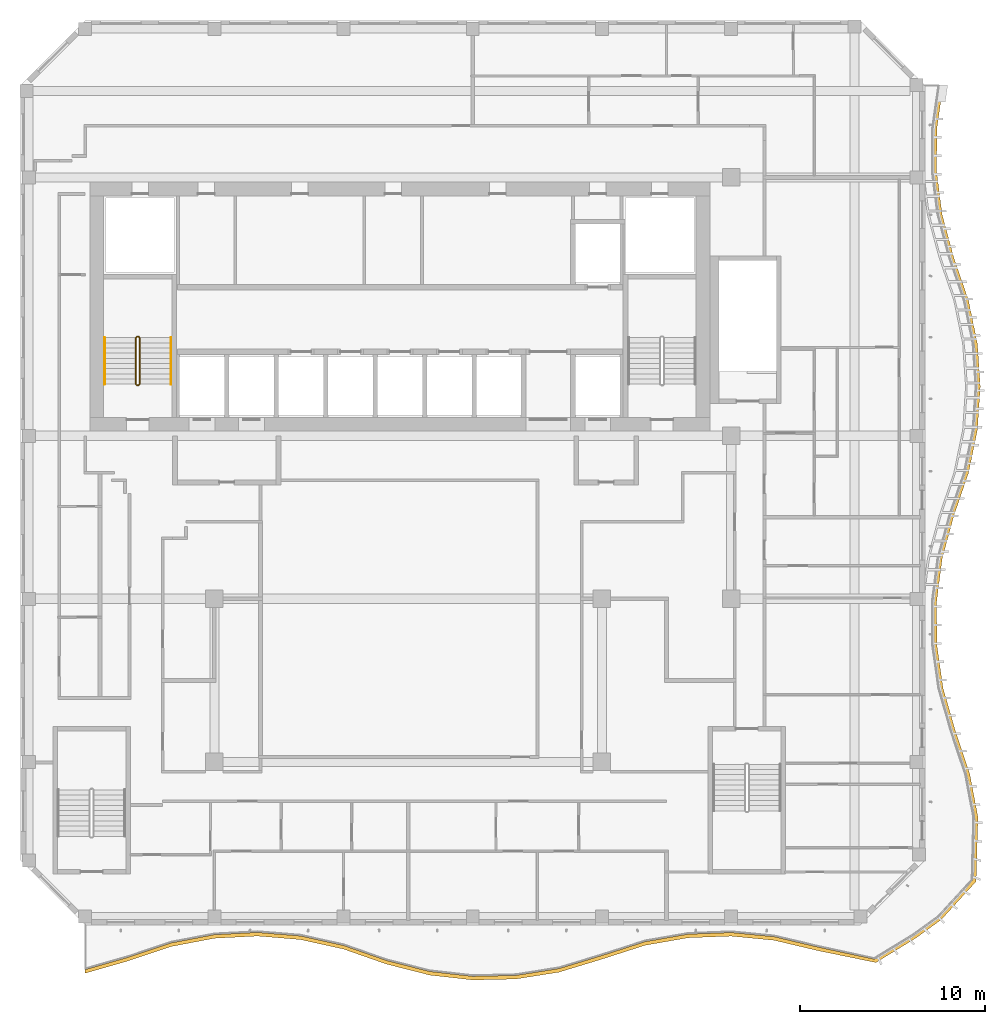
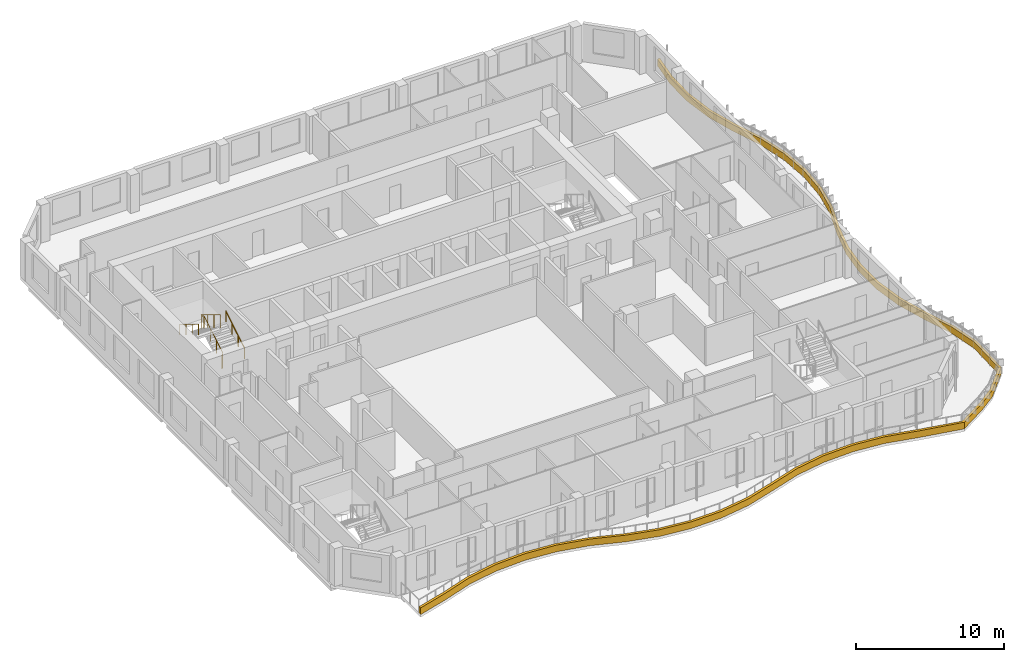
# One storey, part 13 of 18: 3 railings, 1 shading device.
"""IFC4 building model written with IfcOpenShell, lengths in metres."""

import ifcopenshell
import ifcopenshell.guid

model = None  # the IFC model being written
_history = None  # IfcOwnerHistory: only IFC2X3 demands one
_inside = {}  # id of a spatial element -> (the spatial element, [elements in it])
_under = {}  # id of a project, library or spatial element -> (it, [spatial elements below it])
_declared = {}  # id of a project -> (the project, [libraries it declares])
_typed = {}  # id of a type object -> (the type object, [elements of that type])
_made_of = {}  # id of a material, layer set ... -> (it, [elements and type objects made of it])


def new_model(schema):
    """Start an empty IFC model of exactly this schema.

    Asked for "IFC4X3", IfcOpenShell would pick the latest addendum, in which some entities
    have other attributes; the version numbers below select the first issue.
    IFC2X3 requires an IfcOwnerHistory on every rooted entity: one is made here for all.
    """
    global model, _history
    if schema == "IFC4X3":
        model = ifcopenshell.file(schema_version=(4, 3, 0, 0))
    else:
        model = ifcopenshell.file(schema=schema)
    _inside.clear()
    _under.clear()
    _declared.clear()
    _typed.clear()
    _made_of.clear()
    _history = None
    if model.schema == "IFC2X3":
        org = make("IfcOrganization", Name="unknown")
        user = make(
            "IfcPersonAndOrganization",
            ThePerson=make("IfcPerson", FamilyName="unknown"),
            TheOrganization=org,
        )
        app = make(
            "IfcApplication",
            ApplicationDeveloper=org,
            Version="unknown",
            ApplicationFullName="unknown",
            ApplicationIdentifier="unknown",
        )
        _history = make(
            "IfcOwnerHistory",
            OwningUser=user,
            OwningApplication=app,
            ChangeAction="ADDED",
            CreationDate=0,
        )
    return model


def make(cls, **values):
    """One entity of the class cls with the attributes given. An attribute that is None is left unset."""
    return model.create_entity(
        cls, **{name: value for name, value in values.items() if value is not None}
    )


def rooted(cls, **values):
    """An entity with a GlobalId (a new one), such as an element, a storey or a relation."""
    return make(cls, GlobalId=ifcopenshell.guid.new(), OwnerHistory=_history, **values)


def si_unit(unit_type, name, prefix=None):
    """IfcSIUnit, for example si_unit("LENGTHUNIT", "METRE", prefix="MILLI")."""
    return make("IfcSIUnit", UnitType=unit_type, Prefix=prefix, Name=name)


def assignment(units):
    """IfcUnitAssignment: the units of a project."""
    return None if units is None else make("IfcUnitAssignment", Units=units)


def point(xyz):
    """IfcCartesianPoint."""
    return None if xyz is None else make("IfcCartesianPoint", Coordinates=xyz)


def direction(xyz):
    """IfcDirection."""
    return None if xyz is None else make("IfcDirection", DirectionRatios=xyz)


def frame(location, z_axis=None, x_axis=None):
    """IfcAxis2Placement3D, a coordinate frame: its origin and axes. An axis left out is left unset."""
    return make(
        "IfcAxis2Placement3D",
        Location=point(location),
        Axis=direction(z_axis),
        RefDirection=direction(x_axis),
    )


def frame_2d(location, x_axis=None):
    """IfcAxis2Placement2D, a coordinate frame in the plane: its origin and x axis."""
    return make(
        "IfcAxis2Placement2D", Location=point(location), RefDirection=direction(x_axis)
    )


def origin():
    """The frame at (0, 0, 0) with its axes left unset."""
    return frame((0.0, 0.0, 0.0))


def origin_2d():
    """The frame at (0, 0) in the plane with its x axis left unset."""
    return frame_2d((0.0, 0.0))


def place(relative_to, where):
    """IfcLocalPlacement: puts the frame where relative to a parent placement (None: the world)."""
    return make(
        "IfcLocalPlacement", PlacementRelTo=relative_to, RelativePlacement=where
    )


def context(
    kind, dimensions, precision=None, world=None, true_north=None, identifier=None
):
    """IfcGeometricRepresentationContext, for example the 3D "Model" context."""
    return make(
        "IfcGeometricRepresentationContext",
        ContextIdentifier=identifier,
        ContextType=kind,
        CoordinateSpaceDimension=dimensions,
        Precision=precision,
        WorldCoordinateSystem=world,
        TrueNorth=true_north,
    )


def subcontext(parent, identifier, kind, view, scale=None):
    """IfcGeometricRepresentationSubContext, for example "Body" below "Model"."""
    return make(
        "IfcGeometricRepresentationSubContext",
        ContextIdentifier=identifier,
        ContextType=kind,
        ParentContext=parent,
        TargetScale=scale,
        TargetView=view,
    )


def project(units=None, contexts=None):
    """IfcProject with its units and contexts."""
    return rooted(
        "IfcProject",
        Name="project",
        RepresentationContexts=contexts,
        UnitsInContext=assignment(units),
    )


def spatial(cls, under=None, at=None, **own):
    """A site, building, storey or space (cls), placed at a placement, below another one or the project."""
    s = rooted(cls, ObjectPlacement=at, **own)
    if under is not None:
        _under.setdefault(under.id(), (under, []))[1].append(s)
    return s


def polyline(points):
    """IfcPolyline through the points."""
    return make("IfcPolyline", Points=[point(p) for p in points])


def profile(cls, at=None, kind="AREA", **sizes):
    """A parametric profile (cls). Its sizes go by their IFC names, for example OverallWidth=200.0."""
    return make(cls, ProfileType=kind, Position=at, **sizes)


def circle(**sizes):
    """IfcCircleProfileDef."""
    return profile("IfcCircleProfileDef", **sizes)


def outline(outer, holes=None, kind="AREA"):
    """IfcArbitraryClosedProfileDef: a profile drawn as a closed curve; with holes, ...WithVoids."""
    if holes is None:
        return make("IfcArbitraryClosedProfileDef", ProfileType=kind, OuterCurve=outer)
    return make(
        "IfcArbitraryProfileDefWithVoids",
        ProfileType=kind,
        OuterCurve=outer,
        InnerCurves=holes,
    )


def extrude(swept, where, along, depth):
    """IfcExtrudedAreaSolid: the profile swept, set in the frame where, extruded along a direction by depth."""
    return make(
        "IfcExtrudedAreaSolid",
        SweptArea=swept,
        Position=where,
        ExtrudedDirection=direction(along),
        Depth=depth,
    )


def shape(context_of_items, identifier, shape_type, items):
    """IfcShapeRepresentation: the items that make up one representation, for example the "Body"."""
    return make(
        "IfcShapeRepresentation",
        ContextOfItems=context_of_items,
        RepresentationIdentifier=identifier,
        RepresentationType=shape_type,
        Items=items,
    )


def source(mapping_origin, context_of_items, identifier, shape_type, items):
    """IfcRepresentationMap: a shape defined once, which mapped items show again and again."""
    return make(
        "IfcRepresentationMap",
        MappingOrigin=mapping_origin,
        MappedRepresentation=shape(context_of_items, identifier, shape_type, items),
    )


def transform(
    local_origin,
    x_axis=None,
    y_axis=None,
    z_axis=None,
    scale=None,
    scale2=None,
    scale3=None,
    uniform=True,
):
    """IfcCartesianTransformationOperator3D, or its non-uniform kind. x_axis, y_axis, z_axis: its Axis1, 2, 3."""
    if uniform:
        return make(
            "IfcCartesianTransformationOperator3D",
            Axis1=direction(x_axis),
            Axis2=direction(y_axis),
            LocalOrigin=point(local_origin),
            Scale=scale,
            Axis3=direction(z_axis),
        )
    return make(
        "IfcCartesianTransformationOperator3DnonUniform",
        Axis1=direction(x_axis),
        Axis2=direction(y_axis),
        LocalOrigin=point(local_origin),
        Scale=scale,
        Axis3=direction(z_axis),
        Scale2=scale2,
        Scale3=scale3,
    )


def mapped(mapping_source, mapping_target):
    """IfcMappedItem: shows the shape of a source again, moved by a transform."""
    return make(
        "IfcMappedItem", MappingSource=mapping_source, MappingTarget=mapping_target
    )


def material(Name=None, Category=None):
    """IfcMaterial."""
    return make("IfcMaterial", Name=Name, Category=Category)


def layer(
    of_material, thickness, ventilated=None, Name=None, Category=None, Priority=None
):
    """IfcMaterialLayer: one layer of a wall or slab, of a material (None: an air gap)."""
    return make(
        "IfcMaterialLayer",
        Material=of_material,
        LayerThickness=thickness,
        IsVentilated=ventilated,
        Name=Name,
        Category=Category,
        Priority=Priority,
    )


def layer_set(layers, Name=None):
    """IfcMaterialLayerSet."""
    return make("IfcMaterialLayerSet", MaterialLayers=layers, LayerSetName=Name)


def made_of(thing, what):
    """Note that an element or type object is made of a material, layer set ...; save() writes the relation."""
    if what is not None:
        _made_of.setdefault(what.id(), (what, []))[1].append(thing)
    return thing


def type_object(cls, material=None, **own):
    """A type object (cls), such as IfcWallType, which elements share."""
    return made_of(rooted(cls, **own), material)


def element(
    cls,
    number,
    at=None,
    inside=None,
    cuts=None,
    type_object=None,
    material=None,
    context=None,
    identifier="Body",
    shape_type=None,
    held_by="IfcProductDefinitionShape",
    body=None,
    shapes=None,
    **own,
):
    """One element of the class cls, such as IfcWall. Its Tag is "e" and its number.

    at: its placement. inside: the storey or other place that contains it. cuts: it is an
    opening in that element (IfcRelVoidsElement). A single representation is given by context,
    identifier, shape_type and body (its items); several are given by shapes. held_by: the class
    of the entity that holds the representations. save() writes the other relations.
    """
    e = rooted(cls, Tag="e%d" % number, ObjectPlacement=at, **own)
    if body is not None:
        shapes = [shape(context, identifier, shape_type, body)]
    if shapes is not None:
        e.Representation = make(held_by, Representations=shapes)
    if inside is not None:
        _inside.setdefault(inside.id(), (inside, []))[1].append(e)
    if cuts is not None:
        rooted(
            "IfcRelVoidsElement", RelatingBuildingElement=cuts, RelatedOpeningElement=e
        )
    if type_object is not None:
        _typed.setdefault(type_object.id(), (type_object, []))[1].append(e)
    return made_of(e, material)


def aggregate(whole, parts):
    """IfcRelAggregates: a whole, such as a stair, and the parts it consists of."""
    return rooted("IfcRelAggregates", RelatingObject=whole, RelatedObjects=parts)


def save(model, path):
    """Write the relations noted so far, then the file.

    IfcRelAggregates (storeys below a building ...), IfcRelContainedInSpatialStructure (elements
    in a storey), IfcRelDefinesByType, IfcRelAssociatesMaterial and IfcRelDeclares: one each for
    every whole, place, type object, material and project.
    """
    for whole, parts in _under.values():
        aggregate(whole, parts)
    for where, things in _inside.values():
        rooted(
            "IfcRelContainedInSpatialStructure",
            RelatedElements=things,
            RelatingStructure=where,
        )
    for kind, things in _typed.values():
        rooted("IfcRelDefinesByType", RelatedObjects=things, RelatingType=kind)
    for what, things in _made_of.values():
        rooted("IfcRelAssociatesMaterial", RelatedObjects=things, RelatingMaterial=what)
    for by, libraries in _declared.values():
        rooted("IfcRelDeclares", RelatingContext=by, RelatedDefinitions=libraries)
    model.write(path)


model = new_model("IFC4")

# Units and contexts
model_context = context("Model", 3, precision=1e-05, world=origin(), true_north=direction((0.0, 1.0)))
body_context = subcontext(model_context, "Body", "Model", "MODEL_VIEW")
ifc_project = project(units=[si_unit("LENGTHUNIT", "METRE"), si_unit("AREAUNIT", "SQUARE_METRE"), si_unit("VOLUMEUNIT", "CUBIC_METRE"), si_unit("PLANEANGLEUNIT", "RADIAN"), si_unit("MASSUNIT", "GRAM", prefix="KILO")], contexts=[model_context])

# Site, building, storey
site_placement = place(None, origin())
site = spatial("IfcSite", under=ifc_project, at=site_placement, CompositionType="ELEMENT")
building_placement = place(site_placement, origin())
building = spatial("IfcBuilding", under=site, at=building_placement, Name="Kilnfold Tower and Market Hall", CompositionType="ELEMENT")
storey_placement = place(building_placement, frame((0.0, 0.0, 256.0)))
storey = spatial("IfcBuildingStorey", under=building, at=storey_placement, Name="L62", CompositionType="ELEMENT", Elevation=256.0)

# Railings
ifc_material_1 = material(Name="Stainless steel 316", Category="steel")
railing_type_1 = type_object("IfcRailingType", Name="CORE STAIR GUARD 1100", PredefinedType="GUARDRAIL", material=ifc_material_1)
railing_1_placement = place(storey_placement, frame((-13.199951171875, 10.75, 0.0)))
element("IfcRailing", 1, at=railing_1_placement, inside=storey, type_object=railing_type_1, Name="L62 ST1 stair guard 1", PredefinedType="GUARDRAIL", context=body_context, shape_type="SweptSolid", body=[
    extrude(circle(Radius=0.02392578125, at=origin_2d()), frame((0.0, 0.0, 1.076171875), z_axis=(1.0, 0.0, 0.0), x_axis=(0.0, 1.0, 0.0)), (0.0, 0.0, 1.0), 0.099853515625),
    extrude(circle(Radius=0.02392578125, at=origin_2d()), frame((0.099853515625, 0.0, 1.076171875), z_axis=(0.271895245746, 0.271895245746, 0.923117517265), x_axis=(-0.707106781187, 0.707106781187, 0.0)), (0.0, 0.0, 1.0), 0.18408203125),
    extrude(circle(Radius=0.02392578125, at=origin_2d()), frame((0.14990234375, 0.050048828125, 1.24609375), z_axis=(0.0, 0.85478489116, 0.518982456201), x_axis=(-1.0, 0.0, 0.0)), (0.0, 0.0, 1.0), 2.9482421875),
    extrude(circle(Radius=0.02392578125, at=origin_2d()), frame((0.14990234375, 2.570068359375, 2.77587890625), z_axis=(-0.707106781187, 0.707106781187, 0.0), x_axis=(-0.707106781187, -0.707106781187, 0.0)), (0.0, 0.0, 1.0), 0.07080078125),
    extrude(circle(Radius=0.02392578125, at=origin_2d()), frame((0.099853515625, 2.6201171875, 2.77587890625), z_axis=(-1.0, 0.0, 0.0), x_axis=(0.0, -1.0, 0.0)), (0.0, 0.0, 1.0), 0.099853515625),
    extrude(circle(Radius=0.02392578125, at=origin_2d()), frame((0.0, 2.6201171875, 2.77587890625), z_axis=(-0.271562723297, -0.271562723297, 0.923313259209), x_axis=(0.707106781187, -0.707106781187, 0.0)), (0.0, 0.0, 1.0), 0.184326171875),
    extrude(circle(Radius=0.02392578125, at=origin_2d()), frame((-0.050048828125, 2.570068359375, 2.9462890625), z_axis=(0.0, -0.854821627497, 0.518921945155), x_axis=(1.0, 0.0, 0.0)), (0.0, 0.0, 1.0), 2.947998046875),
    extrude(circle(Radius=0.02099609375, at=origin_2d()), origin(), (0.0, 0.0, 1.0), 1.052001953125),
    extrude(circle(Radius=0.02099609375, at=origin_2d()), frame((0.099853515625, 0.0, 0.0)), (0.0, 0.0, 1.0), 1.052001953125),
    extrude(circle(Radius=0.02099609375, at=origin_2d()), frame((0.14990234375, 0.050048828125, 0.169921875)), (0.0, 0.0, 1.0), 1.052001953125),
    extrude(circle(Radius=0.02099609375, at=origin_2d()), frame((0.14990234375, 0.89013671875, 0.679931640625)), (0.0, 0.0, 1.0), 1.052001953125),
    extrude(circle(Radius=0.02099609375, at=origin_2d()), frame((0.14990234375, 1.72998046875, 1.18994140625)), (0.0, 0.0, 1.0), 1.052001953125),
    extrude(circle(Radius=0.02099609375, at=origin_2d()), frame((0.14990234375, 2.570068359375, 1.699951171875)), (0.0, 0.0, 1.0), 1.052001953125),
    extrude(circle(Radius=0.02099609375, at=origin_2d()), frame((0.099853515625, 2.6201171875, 1.699951171875)), (0.0, 0.0, 1.0), 1.052001953125),
    extrude(circle(Radius=0.02099609375, at=origin_2d()), frame((0.0, 2.6201171875, 1.699951171875)), (0.0, 0.0, 1.0), 1.052001953125),
    extrude(circle(Radius=0.02099609375, at=origin_2d()), frame((-0.050048828125, 2.570068359375, 1.8701171875)), (0.0, 0.0, 1.0), 1.052001953125),
    extrude(circle(Radius=0.02099609375, at=origin_2d()), frame((-0.050048828125, 1.72998046875, 2.380126953125)), (0.0, 0.0, 1.0), 1.052001953125),
    extrude(circle(Radius=0.02099609375, at=origin_2d()), frame((-0.050048828125, 0.89013671875, 2.889892578125)), (0.0, 0.0, 1.0), 1.052001953125),
    extrude(circle(Radius=0.02099609375, at=origin_2d()), frame((-0.050048828125, 0.050048828125, 3.39990234375)), (0.0, 0.0, 1.0), 1.052001953125),
])
ifc_material_2 = material(Name="Stainless steel 316", Category="steel")
railing_type_2 = type_object("IfcRailingType", Name="CORE STAIR HANDRAIL 900", PredefinedType="HANDRAIL", material=ifc_material_2)
railing_2_placement = place(storey_placement, frame((-11.35009765625, 10.800048828125, 0.169921875)))
element("IfcRailing", 2, at=railing_2_placement, inside=storey, type_object=railing_type_2, Name="L62 ST1 stair handrail 1", PredefinedType="HANDRAIL", context=body_context, shape_type="SweptSolid", body=[
    extrude(circle(Radius=0.02392578125, at=origin_2d()), frame((0.0, 0.0, 0.8759765625), z_axis=(0.0, 0.85478489116, 0.518982456201), x_axis=(-1.0, 0.0, 0.0)), (0.0, 0.0, 1.0), 2.9482421875),
    extrude(circle(Radius=0.02099609375, at=origin_2d()), origin(), (0.0, 0.0, 1.0), 0.851806640625),
    extrude(circle(Radius=0.02099609375, at=origin_2d()), frame((0.0, 0.840087890625, 0.510009765625)), (0.0, 0.0, 1.0), 0.851806640625),
    extrude(circle(Radius=0.02099609375, at=origin_2d()), frame((0.0, 1.679931640625, 1.02001953125)), (0.0, 0.0, 1.0), 0.851806640625),
    extrude(circle(Radius=0.02099609375, at=origin_2d()), frame((0.0, 2.52001953125, 1.530029296875)), (0.0, 0.0, 1.0), 0.851806640625),
])
railing_3_placement = place(storey_placement, frame((-14.949951171875, 13.320068359375, 1.8701171875)))
element("IfcRailing", 3, at=railing_3_placement, inside=storey, type_object=railing_type_2, Name="L62 ST1 stair handrail 2", PredefinedType="HANDRAIL", context=body_context, shape_type="SweptSolid", body=[
    extrude(circle(Radius=0.02392578125, at=origin_2d()), frame((0.0, 0.0, 0.8759765625), z_axis=(0.0, -0.854821627497, 0.518921945155), x_axis=(1.0, 0.0, 0.0)), (0.0, 0.0, 1.0), 2.947998046875),
    extrude(circle(Radius=0.02099609375, at=origin_2d()), origin(), (0.0, 0.0, 1.0), 0.851806640625),
    extrude(circle(Radius=0.02099609375, at=origin_2d()), frame((0.0, -0.840087890625, 0.510009765625)), (0.0, 0.0, 1.0), 0.851806640625),
    extrude(circle(Radius=0.02099609375, at=origin_2d()), frame((0.0, -1.679931640625, 1.019775390625)), (0.0, 0.0, 1.0), 0.851806640625),
    extrude(circle(Radius=0.02099609375, at=origin_2d()), frame((0.0, -2.52001953125, 1.52978515625)), (0.0, 0.0, 1.0), 0.851806640625),
])

# Shading device
ifc_material_3 = material(Name="Precast concrete C50/60", Category="concrete")
ifc_layer = layer(ifc_material_3, 0.550048828125)
ifc_layer_set = layer_set([ifc_layer], Name="Precast concrete C50/60")
shading_device_type = type_object("IfcShadingDeviceType", Name="BALCONY UPSTAND 550", PredefinedType="USERDEFINED", material=ifc_layer_set)
shared_shape = source(origin(), body_context, "Body", "SweptSolid", [
    extrude(outline(polyline([(-16.0, -21.117431640625), (-13.666748046875, -20.447265625), (-11.333251953125, -19.66748046875), (-9.0, -19.22412109375), (-6.666748046875, -19.101806640625), (-4.333251953125, -19.293701171875), (-2.0, -19.810302734375), (0.333251953125, -20.62548828125), (2.666748046875, -21.218994140625), (5.0, -21.482421875), (7.333251953125, -21.430908203125), (9.666748046875, -21.061767578125), (12.0, -20.35302734375), (14.333251953125, -19.603515625), (16.666748046875, -19.19580078125), (19.0, -19.107421875), (21.333251953125, -19.33349609375), (23.666748046875, -19.88671875), (26.844482421875, -20.53857421875), (29.02978515625, -19.1962890625), (30.38134765625, -18.214599609375), (32.27001953125, -16.1474609375), (32.374755859375, -12.666748046875), (31.930419921875, -10.333251953125), (31.1494140625, -8.0), (30.480712890625, -5.666748046875), (30.147705078125, -3.333251953125), (30.13134765625, -1.0), (30.4306640625, 1.333251953125), (31.06298828125, 3.666748046875), (31.864501953125, 6.0), (32.343505859375, 8.333251953125), (32.5, 10.666748046875), (32.34228515625, 13.0), (31.862060546875, 15.333251953125), (31.059814453125, 17.666748046875), (30.428955078125, 20.0), (30.130859375, 22.333251953125), (30.1484375, 24.666748046875), (30.482421875, 27.0), (30.282470703125, 27.0), (29.948486328125, 24.666748046875), (29.930908203125, 22.333251953125), (30.22900390625, 20.0), (30.85986328125, 17.666748046875), (31.662109375, 15.333251953125), (32.142333984375, 13.0), (32.300048828125, 10.666748046875), (32.1435546875, 8.333251953125), (31.66455078125, 6.0), (30.86279296875, 3.666748046875), (30.230712890625, 1.333251953125), (29.931396484375, -1.0), (29.94775390625, -3.333251953125), (30.28076171875, -5.666748046875), (30.949462890625, -8.0), (31.730224609375, -10.333251953125), (32.1748046875, -12.666748046875), (32.085205078125, -16.07080078125), (30.239990234375, -18.0732421875), (28.888427734375, -19.054931640625), (26.767822265625, -20.353759765625), (23.666748046875, -19.686767578125), (21.333251953125, -19.133544921875), (19.0, -18.907470703125), (16.666748046875, -18.995849609375), (14.333251953125, -19.4033203125), (12.0, -20.153076171875), (9.666748046875, -20.86181640625), (7.333251953125, -21.23095703125), (5.0, -21.282470703125), (2.666748046875, -21.018798828125), (0.333251953125, -20.42529296875), (-2.0, -19.6103515625), (-4.333251953125, -19.093505859375), (-6.666748046875, -18.90185546875), (-9.0, -19.024169921875), (-11.333251953125, -19.46728515625), (-13.666748046875, -20.247314453125), (-16.0, -20.91748046875), (-16.0, -21.117431640625)])), origin(), (0.0, 0.0, 1.0), 0.550048828125),
])
shading_device_placement = place(storey_placement, origin())
element("IfcShadingDevice", 4, at=shading_device_placement, inside=storey, type_object=shading_device_type, Name="Balcony fascia L62", ObjectType="FASCIA", PredefinedType="USERDEFINED", context=body_context, shape_type="MappedRepresentation", body=[
    mapped(shared_shape, transform((0.0, 0.0, 0.0))),
])

save(model, "model.ifc")
